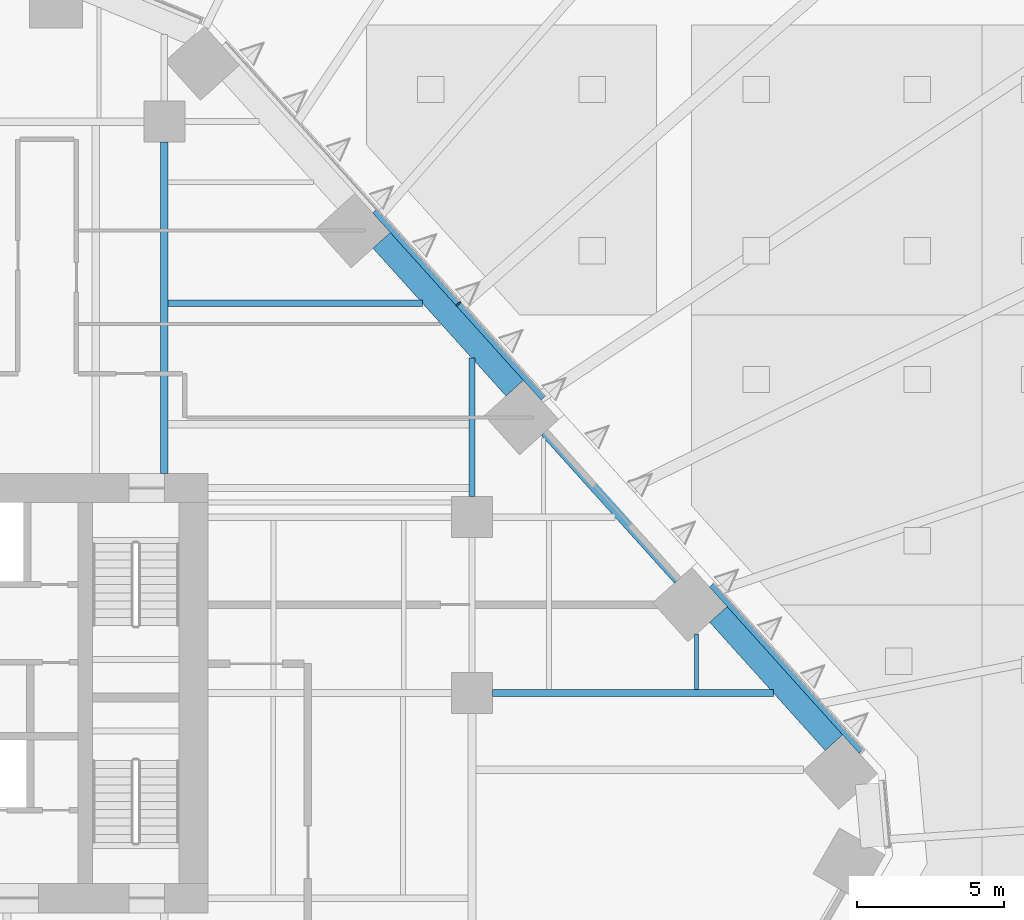
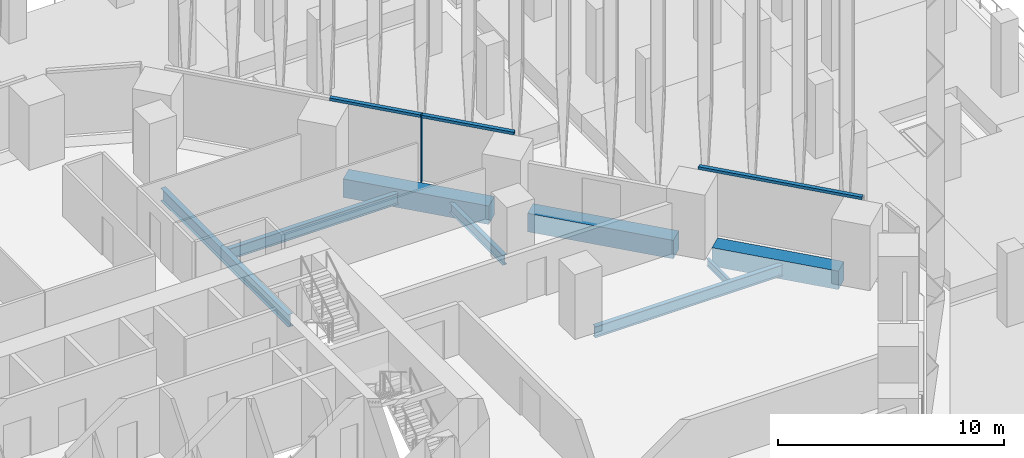
# One storey, part 16 of 51: 8 beams, 4 members, 1 element without a shape of its own.
"""IFC4 building model written with IfcOpenShell, lengths in metres."""

from ifc_helpers import new_model, si_unit, direction, frame, origin, origin_2d, place, context, subcontext, project, spatial, rectangle, i_section, extrude, material, layer, layer_set, material_profile, profile_set, type_object, element, aggregate, save


model = new_model("IFC4")

# Units and contexts
model_context = context("Model", 3, precision=1e-05, world=origin(), true_north=direction((0.0, 1.0)))
body_context = subcontext(model_context, "Body", "Model", "MODEL_VIEW")
ifc_project = project(units=[si_unit("LENGTHUNIT", "METRE"), si_unit("AREAUNIT", "SQUARE_METRE"), si_unit("VOLUMEUNIT", "CUBIC_METRE"), si_unit("PLANEANGLEUNIT", "RADIAN"), si_unit("MASSUNIT", "GRAM", prefix="KILO")], contexts=[model_context])

# Site, building, storey
site_placement = place(None, origin())
site = spatial("IfcSite", under=ifc_project, at=site_placement, CompositionType="ELEMENT")
building_placement = place(site_placement, origin())
building = spatial("IfcBuilding", under=site, at=building_placement, Name="Isthmus Gate Tower", CompositionType="ELEMENT")
storey_placement = place(building_placement, frame((0.0, 0.0, 36.0)))
storey = spatial("IfcBuildingStorey", under=building, at=storey_placement, Name="L06", CompositionType="ELEMENT", Elevation=36.0)

# Curtain wall, members
ifc_material_1 = material(Name="Aluminium, pale champagne anodised", Category="aluminium")
ifc_layer = layer(ifc_material_1, 0.199951171875)
ifc_layer_set = layer_set([ifc_layer], Name="CW-1 UNITISED CURTAIN WALL 200 DEEP")
curtain_wall_type = type_object("IfcCurtainWallType", Name="CW-1 UNITISED CURTAIN WALL 200 DEEP", PredefinedType="NOTDEFINED", material=ifc_layer_set)
curtain_wall_placement = place(storey_placement, origin())
curtain_wall = element("IfcCurtainWall", 1, at=curtain_wall_placement, inside=storey, type_object=curtain_wall_type, Name="CW-1 NE L06", PredefinedType="NOTDEFINED")
ifc_material_2 = material(Name="Aluminium, pale champagne anodised", Category="aluminium")
ifc_material_profile_1 = material_profile(ifc_material_2, rectangle(XDim=0.06005859375, YDim=0.199951171875, at=origin_2d()), Name="60x200")
ifc_profile_set_1 = profile_set([ifc_material_profile_1], Name="Aluminium, pale champagne anodised")
member_type_1 = type_object("IfcMemberType", Name="CW-1 MULLION 60 X 200", PredefinedType="MULLION", material=ifc_profile_set_1)
member_1_placement = place(storey_placement, frame((23.54052734375, 20.783447265625, 0.0), z_axis=(0.0, 0.0, 1.0), x_axis=(-0.669130606359, 0.743144825477, 0.0)))
member_1 = element("IfcMember", 2, at=member_1_placement, type_object=member_type_1, Name="CW-1 mullion", PredefinedType="MULLION", context=body_context, shape_type="SweptSolid", body=[
    extrude(rectangle(XDim=0.06005859375, YDim=0.199951171875, at=origin_2d()), origin(), (0.0, 0.0, 1.0), 3.64990234375),
])
ifc_material_3 = material(Name="Aluminium, pale champagne anodised", Category="aluminium")
ifc_material_profile_2 = material_profile(ifc_material_3, rectangle(XDim=0.199951171875, YDim=0.14990234375, at=origin_2d()), Name="200x150")
ifc_profile_set_2 = profile_set([ifc_material_profile_2], Name="Aluminium, pale champagne anodised")
member_type_2 = type_object("IfcMemberType", Name="CW-1 TRANSOM 200 X 150", PredefinedType="USERDEFINED", material=ifc_profile_set_2)
member_2_placement = place(storey_placement, frame((37.28662109375, 5.5166015625, 3.574951171875), z_axis=(-0.66912913739, 0.74314614814, 0.0), x_axis=(-0.74314614814, -0.66912913739, 0.0)))
member_2 = element("IfcMember", 3, at=member_2_placement, type_object=member_type_2, Name="CW-1 transom", ObjectType="TRANSOM", PredefinedType="USERDEFINED", context=body_context, shape_type="SweptSolid", body=[
    extrude(rectangle(XDim=0.199951171875, YDim=0.14990234375, at=origin_2d()), origin(), (0.0, 0.0, 1.0), 7.62939453125),
])
member_3_placement = place(storey_placement, frame((26.434326171875, 17.569580078125, 3.574951171875), z_axis=(-0.669159437096, 0.743118865153, 0.0), x_axis=(-0.743118865153, -0.669159437096, 0.0)))
member_3 = element("IfcMember", 4, at=member_3_placement, type_object=member_type_2, Name="CW-1 transom", ObjectType="TRANSOM", PredefinedType="USERDEFINED", context=body_context, shape_type="SweptSolid", body=[
    extrude(rectangle(XDim=0.199951171875, YDim=0.14990234375, at=origin_2d()), origin(), (0.0, 0.0, 1.0), 4.294677734375),
])
member_4_placement = place(storey_placement, frame((23.520263671875, 20.8056640625, 3.574951171875), z_axis=(-0.669123979474, 0.743150792298, 0.0), x_axis=(-0.743150792298, -0.669123979474, 0.0)))
member_4 = element("IfcMember", 5, at=member_4_placement, type_object=member_type_2, Name="CW-1 transom", ObjectType="TRANSOM", PredefinedType="USERDEFINED", context=body_context, shape_type="SweptSolid", body=[
    extrude(rectangle(XDim=0.199951171875, YDim=0.14990234375, at=origin_2d()), origin(), (0.0, 0.0, 1.0), 4.234619140625),
])
aggregate(curtain_wall, [member_2, member_3, member_1, member_4])

# Beams
ifc_material_4 = material(Name="Concrete f'c 70 MPa", Category="concrete")
ifc_material_profile_3 = material_profile(ifc_material_4, rectangle(XDim=0.800048828125, YDim=1.0, at=origin_2d()), Name="RC 800X1000")
ifc_profile_set_3 = profile_set([ifc_material_profile_3], Name="Concrete f'c 70 MPa")
beam_type_1 = type_object("IfcBeamType", Name="RC SPANDREL 800 X 1000", PredefinedType="SPANDREL", material=ifc_profile_set_3)
beam_1_placement = place(storey_placement, frame((20.91748046875, 22.94921875, -0.5), z_axis=(0.669135571547, -0.743140354772, 0.0), x_axis=(0.743140354772, 0.669135571547, 0.0)))
element("IfcBeam", 6, at=beam_1_placement, inside=storey, type_object=beam_type_1, Name="str-spandrel-L06-02", PredefinedType="SPANDREL", context=body_context, shape_type="SweptSolid", body=[
    extrude(rectangle(XDim=0.800048828125, YDim=1.0, at=origin_2d()), origin(), (0.0, 0.0, 1.0), 6.789306640625),
])
beam_2_placement = place(storey_placement, frame((26.664794921875, 16.566162109375, -0.5), z_axis=(0.669117690519, -0.743156454748, 0.0), x_axis=(0.743156454748, 0.669117690519, 0.0)))
element("IfcBeam", 7, at=beam_2_placement, inside=storey, type_object=beam_type_1, Name="str-spandrel-L06-03", PredefinedType="SPANDREL", context=body_context, shape_type="SweptSolid", body=[
    extrude(rectangle(XDim=0.800048828125, YDim=1.0, at=origin_2d()), origin(), (0.0, 0.0, 1.0), 6.78955078125),
])
beam_3_placement = place(storey_placement, frame((32.412353515625, 10.182861328125, -0.5), z_axis=(0.669138782017, -0.743137464001, 0.0), x_axis=(0.743137464001, 0.669138782017, 0.0)))
element("IfcBeam", 8, at=beam_3_placement, inside=storey, type_object=beam_type_1, Name="str-spandrel-L06-04", PredefinedType="SPANDREL", context=body_context, shape_type="SweptSolid", body=[
    extrude(rectangle(XDim=0.800048828125, YDim=1.0, at=origin_2d()), origin(), (0.0, 0.0, 1.0), 5.88916015625),
])
ifc_material_5 = material(Name="Structural steel ASTM A992 Gr 50", Category="steel")
ifc_material_profile_4 = material_profile(ifc_material_5, i_section(OverallWidth=0.1396484375, OverallDepth=0.4033203125, WebThickness=0.00634765625, FlangeThickness=0.010986328125, at=origin_2d()), Name="W16X31")
ifc_profile_set_4 = profile_set([ifc_material_profile_4], Name="Structural steel ASTM A992 Gr 50")
beam_type_2 = type_object("IfcBeamType", Name="STEEL FLOOR BEAM W16X31", PredefinedType="JOIST", material=ifc_profile_set_4)
beam_4_placement = place(storey_placement, frame((31.666259765625, 7.6142578125, -0.3515625), z_axis=(0.0, 1.0, 0.0), x_axis=(-1.0, 0.0, 0.0)))
element("IfcBeam", 9, at=beam_4_placement, inside=storey, type_object=beam_type_2, Name="str-beam-L06-33-01", PredefinedType="JOIST", context=body_context, shape_type="SweptSolid", body=[
    extrude(i_section(OverallWidth=0.1396484375, OverallDepth=0.4033203125, WebThickness=0.00634765625, FlangeThickness=0.010986328125, at=origin_2d()), origin(), (0.0, 0.0, 1.0), 1.89697265625),
])
ifc_material_6 = material(Name="Structural steel ASTM A992 Gr 50", Category="steel")
ifc_material_profile_5 = material_profile(ifc_material_6, i_section(OverallWidth=0.228515625, OverallDepth=0.603271484375, WebThickness=0.010986328125, FlangeThickness=0.014404296875, at=origin_2d()), Name="W24X68")
ifc_profile_set_5 = profile_set([ifc_material_profile_5], Name="Structural steel ASTM A992 Gr 50")
beam_type_3 = type_object("IfcBeamType", Name="STEEL FLOOR BEAM W24X68", PredefinedType="JOIST", material=ifc_profile_set_5)
beam_5_placement = place(storey_placement, frame((13.626953125, 20.80712890625, -0.45166015625), z_axis=(1.0, 0.0, 0.0), x_axis=(0.0, 1.0, 0.0)))
element("IfcBeam", 10, at=beam_5_placement, inside=storey, type_object=beam_type_3, Name="str-beam-L06-26-01", PredefinedType="JOIST", context=body_context, shape_type="SweptSolid", body=[
    extrude(i_section(OverallWidth=0.228515625, OverallDepth=0.603271484375, WebThickness=0.010986328125, FlangeThickness=0.014404296875, at=origin_2d()), origin(), (0.0, 0.0, 1.0), 8.680908203125),
])
ifc_material_7 = material(Name="Structural steel ASTM A992 Gr 50", Category="steel")
ifc_material_profile_6 = material_profile(ifc_material_7, i_section(OverallWidth=0.20947265625, OverallDepth=0.533447265625, WebThickness=0.009521484375, FlangeThickness=0.015869140625, at=origin_2d()), Name="W21X62")
ifc_profile_set_6 = profile_set([ifc_material_profile_6], Name="Structural steel ASTM A992 Gr 50")
beam_type_4 = type_object("IfcBeamType", Name="STEEL GIRDER W21X62", PredefinedType="BEAM", material=ifc_profile_set_6)
beam_6_placement = place(storey_placement, frame((24.0, 14.199951171875, -0.416748046875), z_axis=(0.0, 1.0, 0.0), x_axis=(-1.0, 0.0, 0.0)))
element("IfcBeam", 11, at=beam_6_placement, inside=storey, type_object=beam_type_4, Name="str-girder-L06-37", PredefinedType="BEAM", context=body_context, shape_type="SweptSolid", body=[
    extrude(i_section(OverallWidth=0.20947265625, OverallDepth=0.533447265625, WebThickness=0.009521484375, FlangeThickness=0.015869140625, at=origin_2d()), origin(), (0.0, 0.0, 1.0), 4.72802734375),
])
ifc_material_8 = material(Name="Structural steel ASTM A992 Gr 50", Category="steel")
ifc_material_profile_7 = material_profile(ifc_material_8, i_section(OverallWidth=0.228515625, OverallDepth=0.6064453125, WebThickness=0.010986328125, FlangeThickness=0.017578125, at=origin_2d()), Name="W24X76")
ifc_profile_set_7 = profile_set([ifc_material_profile_7], Name="Structural steel ASTM A992 Gr 50")
beam_type_5 = type_object("IfcBeamType", Name="STEEL GIRDER W24X76", PredefinedType="BEAM", material=ifc_profile_set_7)
beam_7_placement = place(storey_placement, frame((24.699951171875, 7.5, -0.453125), z_axis=(1.0, 0.0, 0.0), x_axis=(0.0, 1.0, 0.0)))
element("IfcBeam", 12, at=beam_7_placement, inside=storey, type_object=beam_type_5, Name="str-girder-L06-12", PredefinedType="BEAM", context=body_context, shape_type="SweptSolid", body=[
    extrude(i_section(OverallWidth=0.228515625, OverallDepth=0.6064453125, WebThickness=0.010986328125, FlangeThickness=0.017578125, at=origin_2d()), origin(), (0.0, 0.0, 1.0), 9.58984375),
])
ifc_material_9 = material(Name="Structural steel ASTM A992 Gr 50", Category="steel")
ifc_material_profile_8 = material_profile(ifc_material_9, i_section(OverallWidth=0.25390625, OverallDepth=0.679443359375, WebThickness=0.010986328125, FlangeThickness=0.015869140625, at=origin_2d()), Name="W27X84")
ifc_profile_set_8 = profile_set([ifc_material_profile_8], Name="Structural steel ASTM A992 Gr 50")
beam_type_6 = type_object("IfcBeamType", Name="STEEL GIRDER W27X84", PredefinedType="BEAM", material=ifc_profile_set_8)
beam_8_placement = place(storey_placement, frame((13.5, 15.0, -0.48974609375), z_axis=(0.0, 1.0, 0.0), x_axis=(-1.0, 0.0, 0.0)))
element("IfcBeam", 13, at=beam_8_placement, inside=storey, type_object=beam_type_6, Name="str-girder-L06-33", PredefinedType="BEAM", context=body_context, shape_type="SweptSolid", body=[
    extrude(i_section(OverallWidth=0.25390625, OverallDepth=0.679443359375, WebThickness=0.010986328125, FlangeThickness=0.015869140625, at=origin_2d()), origin(), (0.0, 0.0, 1.0), 11.300048828125),
])

save(model, "model.ifc")
